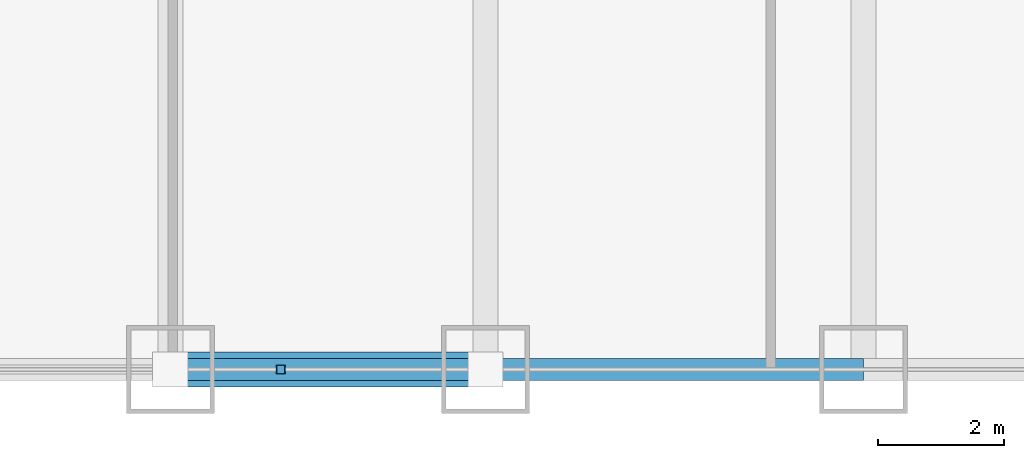
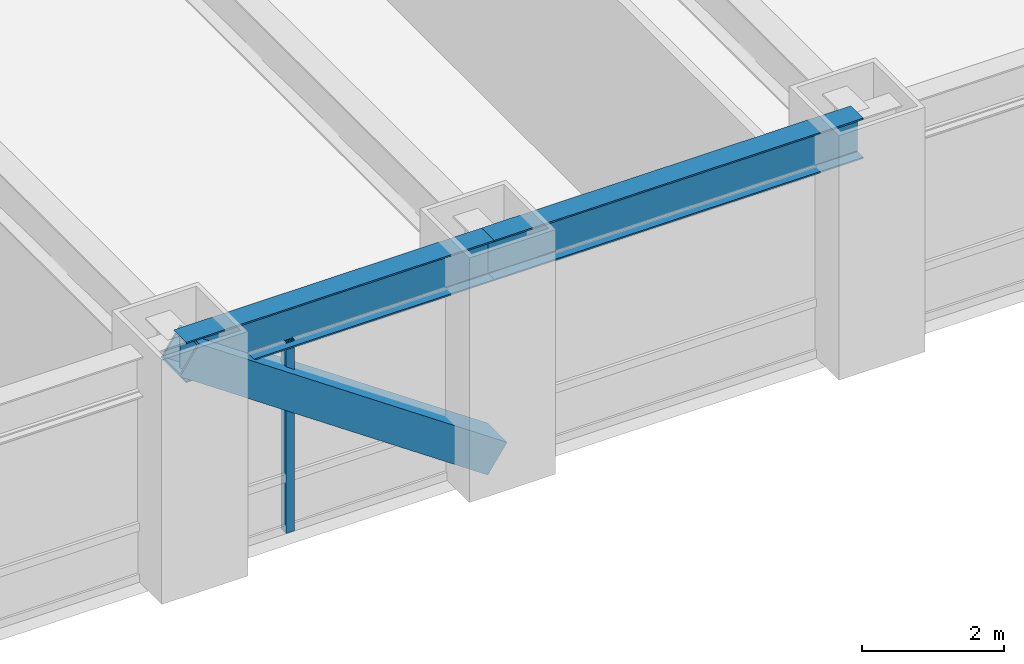
# One storey, part 4 of 27: 2 beams, 2 members, 1 element without a shape of its own.
"""IFC4 building model written with IfcOpenShell, lengths in metres."""

from ifc_helpers import new_model, si_unit, direction, frame, origin, origin_2d, place, context, subcontext, project, spatial, hollow_rectangle, i_section, extrude, source, transform, mapped, material, material_profile, profile_set, type_object, element, aggregate, save


model = new_model("IFC4")

# Units and contexts
model_context = context("Model", 3, precision=1e-05, world=origin(), true_north=direction((0.0, 1.0)))
body_context = subcontext(model_context, "Body", "Model", "MODEL_VIEW")
ifc_project = project(units=[si_unit("LENGTHUNIT", "METRE"), si_unit("AREAUNIT", "SQUARE_METRE"), si_unit("VOLUMEUNIT", "CUBIC_METRE"), si_unit("PLANEANGLEUNIT", "RADIAN"), si_unit("MASSUNIT", "GRAM", prefix="KILO")], contexts=[model_context])

# Site, building, storey
site_placement = place(None, origin())
site = spatial("IfcSite", under=ifc_project, at=site_placement, CompositionType="ELEMENT")
building_placement = place(site_placement, origin())
building = spatial("IfcBuilding", under=site, at=building_placement, Name="Khorayat Bourse Tower", CompositionType="ELEMENT")
storey_placement = place(building_placement, frame((0.0, 0.0, 53.60009765625)))
storey = spatial("IfcBuildingStorey", under=building, at=storey_placement, Name="L11", CompositionType="ELEMENT", Elevation=53.60009765625)

# Beams
ifc_material_1 = material(Name="Steel ASTM A992 Grade 50", Category="steel")
ifc_material_profile_1 = material_profile(ifc_material_1, i_section(OverallWidth=0.35498046875, OverallDepth=0.695068359375, WebThickness=0.015380859375, FlangeThickness=0.02490234375, FilletRadius=0.01806640625, at=origin_2d()), Name="W690X217")
ifc_profile_set_1 = profile_set([ifc_material_profile_1], Name="Steel ASTM A992 Grade 50")
beam_type = type_object("IfcBeamType", Name="BM-SPAN-690", PredefinedType="SPANDREL", material=ifc_profile_set_1)
shared_shape_1 = source(origin(), body_context, "Body", "SweptSolid", [
    extrude(i_section(OverallWidth=0.35498046875, OverallDepth=0.695068359375, WebThickness=0.015380859375, FlangeThickness=0.02490234375, FilletRadius=0.01806640625, at=origin_2d()), origin(), (0.0, 0.0, 1.0), 5.0),
])
beam_1_placement = place(storey_placement, frame((-11.0, -32.0, 3.59228515625), z_axis=(1.0, 0.0, 0.0), x_axis=(0.0, 1.0, 0.0)))
element("IfcBeam", 1, at=beam_1_placement, inside=storey, type_object=beam_type, Name="L11 BM-SPAN-690 BM-L11-SPN-026", PredefinedType="SPANDREL", context=body_context, shape_type="MappedRepresentation", body=[
    mapped(shared_shape_1, transform((0.0, 0.0, 0.0), scale=1.0)),
])
shared_shape_2 = source(origin(), body_context, "Body", "SweptSolid", [
    extrude(i_section(OverallWidth=0.35498046875, OverallDepth=0.695068359375, WebThickness=0.015380859375, FlangeThickness=0.02490234375, FilletRadius=0.01806640625, at=origin_2d()), origin(), (0.0, 0.0, 1.0), 6.0),
])
beam_2_placement = place(storey_placement, frame((-6.0, -32.0, 3.59228515625), z_axis=(1.0, 0.0, 0.0), x_axis=(0.0, 1.0, 0.0)))
element("IfcBeam", 2, at=beam_2_placement, inside=storey, type_object=beam_type, Name="L11 BM-SPAN-690 BM-L11-SPN-027", PredefinedType="SPANDREL", context=body_context, shape_type="MappedRepresentation", body=[
    mapped(shared_shape_2, transform((0.0, 0.0, 0.0), scale=1.0)),
])

# Member
ifc_material_2 = material(Name="Steel EN 10025-4 S460M", Category="steel")
ifc_material_profile_2 = material_profile(ifc_material_2, hollow_rectangle(XDim=0.550048828125, YDim=0.550048828125, WallThickness=0.031982421875, at=origin_2d()), Name="HSS 550x550x32")
ifc_profile_set_2 = profile_set([ifc_material_profile_2], Name="Steel EN 10025-4 S460M")
member_type_1 = type_object("IfcMemberType", Name="MBR-TUBE-550", PredefinedType="BRACE", material=ifc_profile_set_2)
shared_shape_3 = source(origin(), body_context, "Body", "SweptSolid", [
    extrude(hollow_rectangle(XDim=0.550048828125, YDim=0.550048828125, WallThickness=0.031982421875, at=origin_2d()), origin(), (0.0, 0.0, 1.0), 6.069091796875),
])
member_1_placement = place(storey_placement, frame((-11.0, -32.0, 3.68994140625), z_axis=(0.823854080622, 0.0, -0.566801952928), x_axis=(0.0, 1.0, 0.0)))
element("IfcMember", 3, at=member_1_placement, inside=storey, type_object=member_type_1, Name="L11 Perimeter Tube Brace 01", PredefinedType="BRACE", context=body_context, shape_type="MappedRepresentation", body=[
    mapped(shared_shape_3, transform((0.0, 0.0, 0.0), scale=1.0)),
])

# Curtain wall, member
ifc_material_3 = material(Name="Aluminium EN AW-6063 T6", Category="aluminium")
curtain_wall_type = type_object("IfcCurtainWallType", Name="CW-SYS-02", PredefinedType="NOTDEFINED", material=ifc_material_3)
curtain_wall_placement = place(storey_placement, origin())
curtain_wall = element("IfcCurtainWall", 4, at=curtain_wall_placement, inside=storey, type_object=curtain_wall_type, Name="L11 Curtain Wall CW-L11-S1", PredefinedType="NOTDEFINED")
ifc_material_profile_3 = material_profile(ifc_material_3, hollow_rectangle(XDim=0.139892578125, YDim=0.139892578125, WallThickness=0.006103515625, at=origin_2d()), Name="ALU 140x140x6")
ifc_profile_set_3 = profile_set([ifc_material_profile_3], Name="Aluminium EN AW-6063 T6")
member_type_2 = type_object("IfcMemberType", Name="CWM-VERT-140", PredefinedType="MULLION", material=ifc_profile_set_3)
shared_shape_4 = source(origin(), body_context, "Body", "SweptSolid", [
    extrude(hollow_rectangle(XDim=0.139892578125, YDim=0.139892578125, WallThickness=0.006103515625, at=origin_2d()), origin(), (0.0, 0.0, 1.0), 3.289794921875),
])
member_2_placement = place(storey_placement, frame((-9.25, -32.0, 0.0), z_axis=(0.0, 0.0, 1.0), x_axis=(0.0, 1.0, 0.0)))
member_2 = element("IfcMember", 5, at=member_2_placement, type_object=member_type_2, Name="CW-L11-S1 Vertical Mullion 2", PredefinedType="MULLION", context=body_context, shape_type="MappedRepresentation", body=[
    mapped(shared_shape_4, transform((0.0, 0.0, 0.0), scale=1.0)),
])
aggregate(curtain_wall, [member_2])

save(model, "model.ifc")
